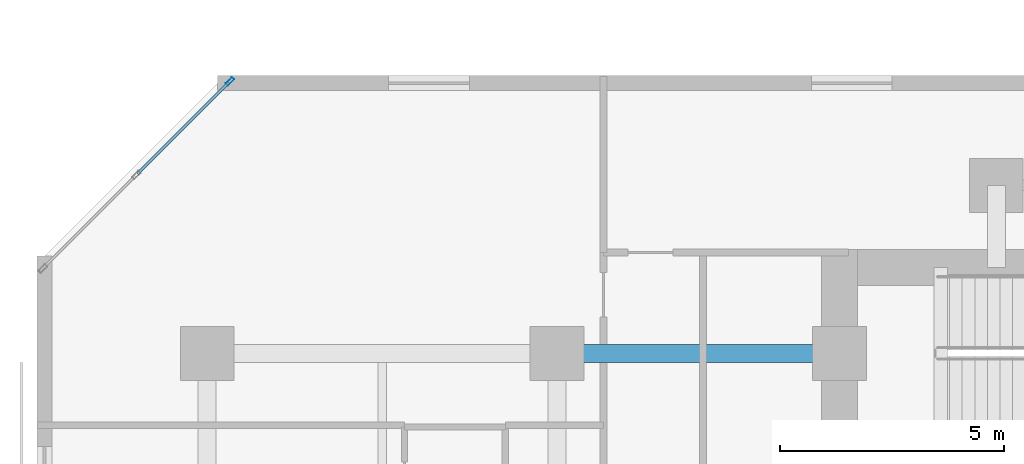
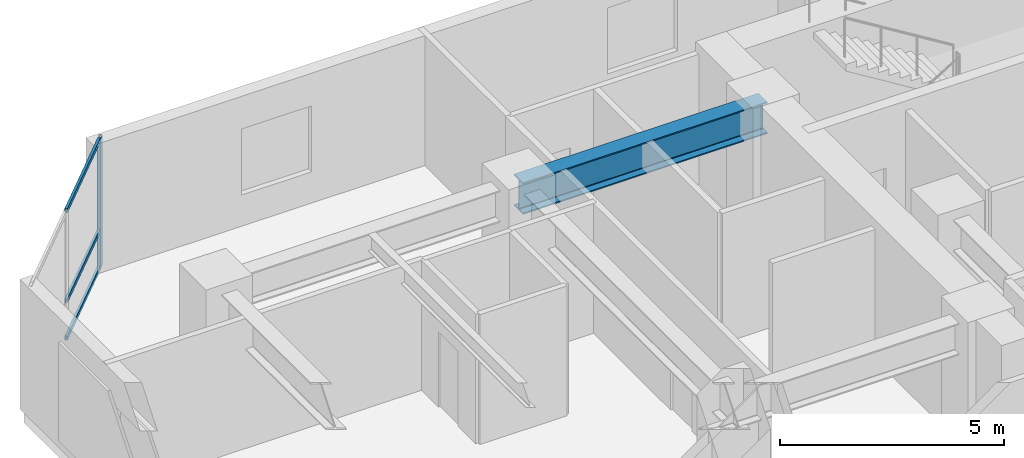
# One storey, part 4 of 12: 4 members, 1 beam, 1 element without a shape of its own.
"""IFC4 building model written with IfcOpenShell, lengths in metres."""

from ifc_helpers import new_model, si_unit, direction, frame, origin, origin_2d, place, context, subcontext, project, spatial, hollow_rectangle, i_section, extrude, material, layer, layer_set, material_profile, profile_set, type_object, element, aggregate, save


model = new_model("IFC4")

# Units and contexts
model_context = context("Model", 3, precision=1e-05, world=origin(), true_north=direction((0.0, 1.0)))
body_context = subcontext(model_context, "Body", "Model", "MODEL_VIEW")
ifc_project = project(units=[si_unit("LENGTHUNIT", "METRE"), si_unit("AREAUNIT", "SQUARE_METRE"), si_unit("VOLUMEUNIT", "CUBIC_METRE"), si_unit("PLANEANGLEUNIT", "RADIAN"), si_unit("MASSUNIT", "GRAM", prefix="KILO")], contexts=[model_context])

# Site, building, storey
site_placement = place(None, origin())
site = spatial("IfcSite", under=ifc_project, at=site_placement, CompositionType="ELEMENT")
building_placement = place(site_placement, origin())
building = spatial("IfcBuilding", under=site, at=building_placement, Name="Kestravale Grand Hotel", CompositionType="ELEMENT")
storey_placement = place(building_placement, frame((0.0, 0.0, 95.60009765625)))
storey = spatial("IfcBuildingStorey", under=building, at=storey_placement, Name="L23", CompositionType="ELEMENT", Elevation=95.60009765625)

# Beam
ifc_material_1 = material(Name="Steel ASTM A992 Grade 50", Category="steel")
ifc_material_profile_1 = material_profile(ifc_material_1, i_section(OverallWidth=0.40087890625, OverallDepth=0.861083984375, WebThickness=0.019775390625, FlangeThickness=0.032470703125, FilletRadius=0.0234375, at=origin_2d()))
ifc_profile_set_1 = profile_set([ifc_material_profile_1], Name="Steel ASTM A992 Grade 50")
beam_type = type_object("IfcBeamType", Name="B-GRD-W33", PredefinedType="BEAM", material=ifc_profile_set_1)
beam_placement = place(storey_placement, frame((15.60009765625, 38.39990234375, 3.109375), z_axis=(1.0, 0.0, 0.0), x_axis=(0.0, 1.0, 0.0)))
element("IfcBeam", 1, at=beam_placement, inside=storey, type_object=beam_type, Name="L23 girder F:3-CW", PredefinedType="BEAM", context=body_context, shape_type="SweptSolid", body=[
    extrude(i_section(OverallWidth=0.40087890625, OverallDepth=0.861083984375, WebThickness=0.019775390625, FlangeThickness=0.032470703125, FilletRadius=0.0234375, at=origin_2d()), origin(), (0.0, 0.0, 1.0), 6.2998046875),
])

# Curtain wall, members
ifc_material_2 = material(Name="Thermally broken champagne-bronze aluminium and low-E glazing", Category="aluminium")
ifc_layer = layer(ifc_material_2, 0.199951171875)
ifc_layer_set = layer_set([ifc_layer], Name="CW-Z2")
curtain_wall_type = type_object("IfcCurtainWallType", Name="CW-Z2", PredefinedType="NOTDEFINED", material=ifc_layer_set)
curtain_wall_placement = place(storey_placement, origin())
curtain_wall = element("IfcCurtainWall", 2, at=curtain_wall_placement, inside=storey, type_object=curtain_wall_type, Name="L23 unitised curtain wall 18", PredefinedType="NOTDEFINED")
ifc_material_3 = material(Name="Aluminium 6063-T6 anodised", Category="aluminium")
ifc_material_profile_2 = material_profile(ifc_material_3, hollow_rectangle(XDim=0.074951171875, YDim=0.199951171875, WallThickness=0.00390625, at=origin_2d()))
ifc_profile_set_2 = profile_set([ifc_material_profile_2], Name="Aluminium 6063-T6 anodised")
member_type_1 = type_object("IfcMemberType", Name="CW-MUL-200", PredefinedType="MULLION", material=ifc_profile_set_2)
member_1_placement = place(storey_placement, frame((8.307861328125, 44.467529296875, 0.0), z_axis=(0.0, 0.0, 1.0), x_axis=(0.707106781187, -0.707106781187, 0.0)))
member_1 = element("IfcMember", 3, at=member_1_placement, type_object=member_type_1, Name="CW-Z2 mullion 1", PredefinedType="MULLION", context=body_context, shape_type="SweptSolid", body=[
    extrude(hollow_rectangle(XDim=0.074951171875, YDim=0.199951171875, WallThickness=0.00390625, at=origin_2d()), origin(), (0.0, 0.0, 1.0), 3.539794921875),
])
ifc_material_4 = material(Name="Aluminium 6063-T6 anodised", Category="aluminium")
ifc_material_profile_3 = material_profile(ifc_material_4, hollow_rectangle(XDim=0.06494140625, YDim=0.114990234375, WallThickness=0.003173828125, at=origin_2d()))
ifc_profile_set_3 = profile_set([ifc_material_profile_3], Name="Aluminium 6063-T6 anodised")
member_type_2 = type_object("IfcMemberType", Name="CW-TRN-115", PredefinedType="USERDEFINED", material=ifc_profile_set_3)
member_2_placement = place(storey_placement, frame((8.28125, 44.44091796875, 0.032470703125), z_axis=(-0.707064354356, -0.707149205472, 0.0), x_axis=(0.707149205472, -0.707064354356, 0.0)))
member_2 = element("IfcMember", 4, at=member_2_placement, type_object=member_type_2, Name="CW-Z2 transom 1.1", ObjectType="TRANSOM", PredefinedType="USERDEFINED", context=body_context, shape_type="SweptSolid", body=[
    extrude(hollow_rectangle(XDim=0.06494140625, YDim=0.114990234375, WallThickness=0.003173828125, at=origin_2d()), origin(), (0.0, 0.0, 1.0), 2.877197265625),
])
member_3_placement = place(storey_placement, frame((8.28125, 44.44091796875, 1.0498046875), z_axis=(-0.707064354356, -0.707149205472, 0.0), x_axis=(0.707149205472, -0.707064354356, 0.0)))
member_3 = element("IfcMember", 5, at=member_3_placement, type_object=member_type_2, Name="CW-Z2 transom 1.2", ObjectType="TRANSOM", PredefinedType="USERDEFINED", context=body_context, shape_type="SweptSolid", body=[
    extrude(hollow_rectangle(XDim=0.06494140625, YDim=0.114990234375, WallThickness=0.003173828125, at=origin_2d()), origin(), (0.0, 0.0, 1.0), 2.877197265625),
])
member_4_placement = place(storey_placement, frame((8.28125, 44.44091796875, 3.50732421875), z_axis=(-0.707064354356, -0.707149205472, 0.0), x_axis=(0.707149205472, -0.707064354356, 0.0)))
member_4 = element("IfcMember", 6, at=member_4_placement, type_object=member_type_2, Name="CW-Z2 transom 1.3", ObjectType="TRANSOM", PredefinedType="USERDEFINED", context=body_context, shape_type="SweptSolid", body=[
    extrude(hollow_rectangle(XDim=0.06494140625, YDim=0.114990234375, WallThickness=0.003173828125, at=origin_2d()), origin(), (0.0, 0.0, 1.0), 2.877197265625),
])
aggregate(curtain_wall, [member_1, member_2, member_3, member_4])

save(model, "model.ifc")
